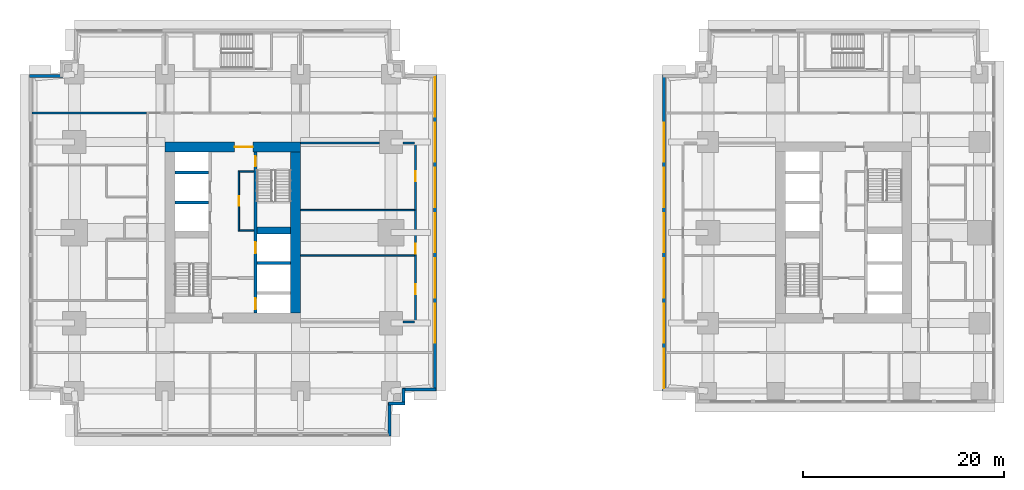
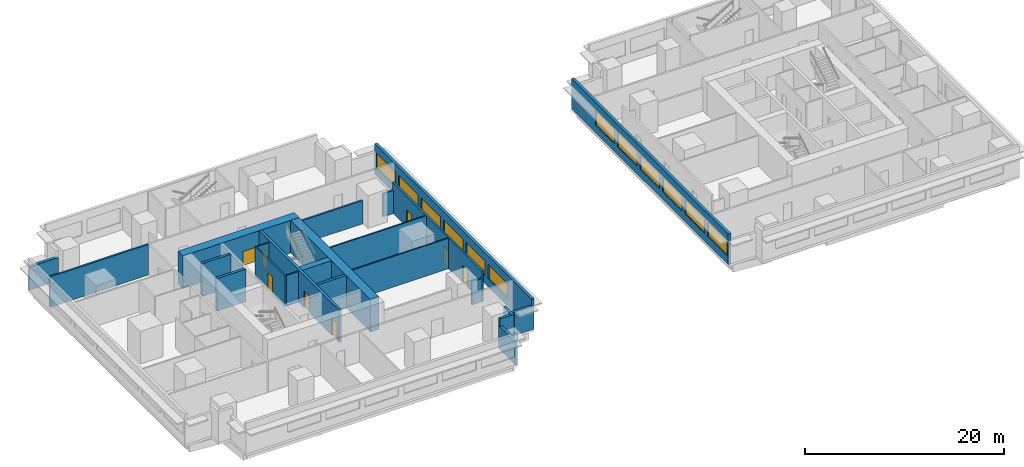
# One storey, part 4 of 11: 24 walls, 12 windows, 8 doors, 20 openings.
"""IFC4 building model written with IfcOpenShell, lengths in metres."""

from ifc_helpers import new_model, si_unit, direction, frame, frame_2d, origin, place, context, subcontext, project, spatial, rectangle, extrude, material, layer, layer_set, type_object, element, fill, save


model = new_model("IFC4")

# Units and contexts
model_context = context("Model", 3, precision=1e-05, world=origin(), true_north=direction((0.0, 1.0)))
body_context = subcontext(model_context, "Body", "Model", "MODEL_VIEW")
ifc_project = project(units=[si_unit("LENGTHUNIT", "METRE"), si_unit("AREAUNIT", "SQUARE_METRE"), si_unit("VOLUMEUNIT", "CUBIC_METRE"), si_unit("PLANEANGLEUNIT", "RADIAN"), si_unit("MASSUNIT", "GRAM", prefix="KILO")], contexts=[model_context])

# Site, building, storey
site_placement = place(None, origin())
site = spatial("IfcSite", under=ifc_project, at=site_placement, CompositionType="ELEMENT")
building_placement = place(site_placement, origin())
building = spatial("IfcBuilding", under=site, at=building_placement, Name="Namib Vertical Campus", CompositionType="ELEMENT")
storey_placement = place(building_placement, frame((0.0, 0.0, 97.0)))
storey = spatial("IfcBuildingStorey", under=building, at=storey_placement, Name="L22", CompositionType="ELEMENT", Elevation=97.0)

# Wall, openings, doors
ifc_material_1 = material(Name="Concrete C60/75", Category="concrete")
ifc_layer_1 = layer(ifc_material_1, 0.300048828125)
ifc_layer_set_1 = layer_set([ifc_layer_1], Name="Concrete C60/75")
wall_type_1 = type_object("IfcWallType", Name="Core inner wall 300", PredefinedType="SHEAR", material=ifc_layer_set_1)
wall_1_placement = place(storey_placement, frame((22.5, 12.25, 0.0), z_axis=(0.0, 0.0, 1.0), x_axis=(0.0, 1.0, 0.0)))
wall_1 = element("IfcWall", 1, at=wall_1_placement, inside=storey, type_object=wall_type_1, Name="Core inner wall A L22 W2", PredefinedType="SHEAR", context=body_context, shape_type="SweptSolid", body=[
    extrude(rectangle(XDim=16.0, YDim=0.300048828125, at=frame_2d((8.0, 0.0))), origin(), (0.0, 0.0, 1.0), 4.0),
])
opening_1_placement = place(wall_1_placement, frame((14.60009765625, 0.0, 0.0)))
opening_1 = element("IfcOpeningElement", 2, at=opening_1_placement, cuts=wall_1, Name="Opening FD1", PredefinedType="OPENING", context=body_context, shape_type="SweptSolid", body=[
    extrude(rectangle(XDim=1.0, YDim=2.10009765625, at=frame_2d((0.5, 1.050048828125))), frame((0.0, 0.159912109375, 0.0), z_axis=(0.0, -1.0, 0.0), x_axis=(1.0, 0.0, 0.0)), (0.0, 0.0, 1.0), 0.320068359375),
])
opening_2_placement = place(wall_1_placement, frame((0.375, 0.0, 0.0)))
opening_2 = element("IfcOpeningElement", 3, at=opening_2_placement, cuts=wall_1, Name="Opening LD1", PredefinedType="OPENING", context=body_context, shape_type="SweptSolid", body=[
    extrude(rectangle(XDim=1.10009765625, YDim=2.10009765625, at=frame_2d((0.550048828125, 1.050048828125))), frame((0.0, 0.159912109375, 0.0), z_axis=(0.0, -1.0, 0.0), x_axis=(1.0, 0.0, 0.0)), (0.0, 0.0, 1.0), 0.320068359375),
])
opening_3_placement = place(wall_1_placement, frame((5.949951171875, 0.0, 0.0)))
opening_3 = element("IfcOpeningElement", 4, at=opening_3_placement, cuts=wall_1, Name="Opening LD1", PredefinedType="OPENING", context=body_context, shape_type="SweptSolid", body=[
    extrude(rectangle(XDim=1.10009765625, YDim=2.10009765625, at=frame_2d((0.550048828125, 1.050048828125))), frame((0.0, 0.159912109375, 0.0), z_axis=(0.0, -1.0, 0.0), x_axis=(1.0, 0.0, 0.0)), (0.0, 0.0, 1.0), 0.320068359375),
])
ifc_material_2 = material(Name="Steel fire door", Category="steel")
door_type_1 = type_object("IfcDoorType", Name="Fire door 1000x2100", OperationType="SINGLE_SWING_RIGHT", PredefinedType="DOOR", material=ifc_material_2)
door_1_placement = place(opening_1_placement, frame((1.0, 0.0, 0.0), z_axis=(0.0, 0.0, 1.0), x_axis=(-1.0, 0.0, 0.0)))
door_1 = element("IfcDoor", 5, at=door_1_placement, inside=storey, type_object=door_type_1, Name="Stair door FD1 A L22 S2", OperationType="SINGLE_SWING_LEFT", OverallHeight=2.10009765625, OverallWidth=1.0, PredefinedType="DOOR", context=body_context, shape_type="SweptSolid", body=[
    extrude(rectangle(XDim=1.0, YDim=2.10009765625, at=frame_2d((0.5, 1.050048828125))), frame((0.0, 0.02490234375, 0.0), z_axis=(0.0, -1.0, 0.0), x_axis=(1.0, 0.0, 0.0)), (0.0, 0.0, 1.0), 0.050048828125),
])
fill(opening_1, door_1)
ifc_material_3 = material(Name="Stainless steel lift door", Category="steel")
door_type_2 = type_object("IfcDoorType", Name="Lift landing door 1100x2100", OperationType="DOUBLE_DOOR_SLIDING", PredefinedType="DOOR", material=ifc_material_3)
door_2_placement = place(opening_2_placement, origin())
door_2 = element("IfcDoor", 6, at=door_2_placement, inside=storey, type_object=door_type_2, Name="Lift landing door LD1 A-FL1 L22", OperationType="DOUBLE_DOOR_SLIDING", OverallHeight=2.10009765625, OverallWidth=1.10009765625, PredefinedType="DOOR", context=body_context, shape_type="SweptSolid", body=[
    extrude(rectangle(XDim=1.10009765625, YDim=2.10009765625, at=frame_2d((0.550048828125, 1.050048828125))), frame((0.0, 0.02490234375, 0.0), z_axis=(0.0, -1.0, 0.0), x_axis=(1.0, 0.0, 0.0)), (0.0, 0.0, 1.0), 0.050048828125),
])
fill(opening_2, door_2)
door_3_placement = place(opening_3_placement, origin())
door_3 = element("IfcDoor", 7, at=door_3_placement, inside=storey, type_object=door_type_2, Name="Lift landing door LD1 A-P5 L22", OperationType="DOUBLE_DOOR_SLIDING", OverallHeight=2.10009765625, OverallWidth=1.10009765625, PredefinedType="DOOR", context=body_context, shape_type="SweptSolid", body=[
    extrude(rectangle(XDim=1.10009765625, YDim=2.10009765625, at=frame_2d((0.550048828125, 1.050048828125))), frame((0.0, 0.02490234375, 0.0), z_axis=(0.0, -1.0, 0.0), x_axis=(1.0, 0.0, 0.0)), (0.0, 0.0, 1.0), 0.050048828125),
])
fill(opening_3, door_3)

# Walls
for number, where, z_axis, x_axis, name in (
    (8, (22.64990234375, 17.25, 0.0), (0.0, 0.0, 1.0), (1.0, 0.0, 0.0), "Core inner wall A L22 W6"),
    (9, (14.5, 23.25, 0.0), (0.0, 0.0, 1.0), (1.0, 0.0, 0.0), "Core inner wall A L22 W8"),
    (10, (14.5, 26.25, 0.0), (0.0, 0.0, 1.0), (1.0, 0.0, 0.0), "Core inner wall A L22 W9"),
):
    element("IfcWall", number, at=place(storey_placement, frame(where, z_axis=z_axis, x_axis=x_axis)), inside=storey, type_object=wall_type_1, Name=name, PredefinedType="SHEAR", context=body_context, shape_type="SweptSolid", body=[
        extrude(rectangle(XDim=3.35009765625, YDim=0.300048828125, at=frame_2d((1.675048828125, 0.0))), origin(), (0.0, 0.0, 1.0), 4.0),
    ])
ifc_material_4 = material(Name="Concrete C60/75", Category="concrete")
ifc_layer_2 = layer(ifc_material_4, 0.699951171875)
ifc_layer_set_2 = layer_set([ifc_layer_2], Name="Concrete C60/75")
wall_type_2 = type_object("IfcWallType", Name="Core shear wall 700", PredefinedType="SHEAR", material=ifc_layer_set_2)
wall_2_placement = place(storey_placement, frame((22.64990234375, 20.449951171875, 0.0), z_axis=(0.0, 0.0, 1.0), x_axis=(1.0, 0.0, 0.0)))
element("IfcWall", 11, at=wall_2_placement, inside=storey, type_object=wall_type_2, Name="Core shear wall A L22 W7", PredefinedType="SHEAR", context=body_context, shape_type="SweptSolid", body=[
    extrude(rectangle(XDim=3.35009765625, YDim=0.699951171875, at=frame_2d((1.675048828125, 0.0))), origin(), (0.0, 0.0, 1.0), 4.0),
])
ifc_material_5 = material(Name="Concrete C60/75", Category="concrete")
ifc_layer_3 = layer(ifc_material_5, 1.0)
ifc_layer_set_3 = layer_set([ifc_layer_3], Name="Concrete C60/75")
wall_type_3 = type_object("IfcWallType", Name="Core wall 1000", PredefinedType="SHEAR", material=ifc_layer_set_3)
wall_3_placement = place(storey_placement, frame((26.5, 12.25, 0.0), z_axis=(0.0, 0.0, 1.0), x_axis=(0.0, 1.0, 0.0)))
element("IfcWall", 12, at=wall_3_placement, inside=storey, type_object=wall_type_3, Name="Core wall A L22 2", PredefinedType="SHEAR", context=body_context, shape_type="SweptSolid", body=[
    extrude(rectangle(XDim=16.0, YDim=1.0, at=frame_2d((8.0, 0.0))), origin(), (0.0, 0.0, 1.0), 4.0),
])

# Wall, opening, door
wall_4_placement = place(storey_placement, frame((27.0, 28.75, 0.0), z_axis=(0.0, 0.0, 1.0), x_axis=(-1.0, 0.0, 0.0)))
wall_4 = element("IfcWall", 13, at=wall_4_placement, inside=storey, type_object=wall_type_3, Name="Core wall A L22 3", PredefinedType="SHEAR", context=body_context, shape_type="SweptSolid", body=[
    extrude(rectangle(XDim=13.5, YDim=1.0, at=frame_2d((6.75, 0.0))), origin(), (0.0, 0.0, 1.0), 4.0),
])
opening_4_placement = place(wall_4_placement, frame((4.75, 0.0, 0.0)))
opening_4 = element("IfcOpeningElement", 14, at=opening_4_placement, cuts=wall_4, Name="Opening FD2", PredefinedType="OPENING", context=body_context, shape_type="SweptSolid", body=[
    extrude(rectangle(XDim=1.800048828125, YDim=2.10009765625, at=frame_2d((0.89990234375, 1.050048828125))), frame((0.0, 0.510009765625, 0.0), z_axis=(0.0, -1.0, 0.0), x_axis=(1.0, 0.0, 0.0)), (0.0, 0.0, 1.0), 1.02001953125),
])
ifc_material_6 = material(Name="Steel fire door", Category="steel")
door_type_3 = type_object("IfcDoorType", Name="Fire door double 1800x2100", OperationType="DOUBLE_DOOR_SINGLE_SWING", PredefinedType="DOOR", material=ifc_material_6)
door_4_placement = place(opening_4_placement, origin())
door_4 = element("IfcDoor", 15, at=door_4_placement, inside=storey, type_object=door_type_3, Name="Lift lobby door FD2 A L22", OperationType="DOUBLE_DOOR_SINGLE_SWING", OverallHeight=2.10009765625, OverallWidth=1.800048828125, PredefinedType="DOOR", context=body_context, shape_type="SweptSolid", body=[
    extrude(rectangle(XDim=1.800048828125, YDim=2.10009765625, at=frame_2d((0.89990234375, 1.050048828125))), frame((0.0, 0.02490234375, 0.0), z_axis=(0.0, -1.0, 0.0), x_axis=(1.0, 0.0, 0.0)), (0.0, 0.0, 1.0), 0.050048828125),
])
fill(opening_4, door_4)

# Wall, openings, doors
ifc_material_7 = material(Name="Concrete masonry", Category="masonry")
ifc_layer_4 = layer(ifc_material_7, 0.199951171875)
ifc_layer_set_4 = layer_set([ifc_layer_4], Name="Corridor wall 200")
wall_type_4 = type_object("IfcWallType", Name="Corridor wall 200", PredefinedType="SOLIDWALL", material=ifc_layer_set_4)
wall_5_placement = place(storey_placement, frame((38.449951171875, 11.25, 0.0), z_axis=(0.0, 0.0, 1.0), x_axis=(0.0, 1.0, 0.0)))
wall_5 = element("IfcWall", 16, at=wall_5_placement, inside=storey, type_object=wall_type_4, Name="Corridor wall A L22 CG", PredefinedType="SOLIDWALL", context=body_context, shape_type="SweptSolid", body=[
    extrude(rectangle(XDim=18.0, YDim=0.199951171875, at=frame_2d((9.0, 0.0))), origin(), (0.0, 0.0, 1.0), 3.75),
])
opening_5_placement = place(wall_5_placement, frame((2.875, 0.0, 0.0)))
opening_5 = element("IfcOpeningElement", 17, at=opening_5_placement, cuts=wall_5, Name="Opening CD1", PredefinedType="OPENING", context=body_context, shape_type="SweptSolid", body=[
    extrude(rectangle(XDim=1.0, YDim=2.10009765625, at=frame_2d((0.5, 1.050048828125))), frame((0.0, 0.10986328125, 0.0), z_axis=(0.0, -1.0, 0.0), x_axis=(1.0, 0.0, 0.0)), (0.0, 0.0, 1.0), 0.219970703125),
])
opening_6_placement = place(wall_5_placement, frame((6.89990234375, 0.0, 0.0)))
opening_6 = element("IfcOpeningElement", 18, at=opening_6_placement, cuts=wall_5, Name="Opening CD1", PredefinedType="OPENING", context=body_context, shape_type="SweptSolid", body=[
    extrude(rectangle(XDim=1.0, YDim=2.10009765625, at=frame_2d((0.5, 1.050048828125))), frame((0.0, 0.10986328125, 0.0), z_axis=(0.0, -1.0, 0.0), x_axis=(1.0, 0.0, 0.0)), (0.0, 0.0, 1.0), 0.219970703125),
])
opening_7_placement = place(wall_5_placement, frame((14.125, 0.0, 0.0)))
opening_7 = element("IfcOpeningElement", 19, at=opening_7_placement, cuts=wall_5, Name="Opening CD1", PredefinedType="OPENING", context=body_context, shape_type="SweptSolid", body=[
    extrude(rectangle(XDim=1.0, YDim=2.10009765625, at=frame_2d((0.5, 1.050048828125))), frame((0.0, 0.10986328125, 0.0), z_axis=(0.0, -1.0, 0.0), x_axis=(1.0, 0.0, 0.0)), (0.0, 0.0, 1.0), 0.219970703125),
])
ifc_material_8 = material(Name="Timber fire door leaf", Category="wood")
door_type_4 = type_object("IfcDoorType", Name="Corridor door 1000x2100 20 min", OperationType="SINGLE_SWING_LEFT", PredefinedType="DOOR", material=ifc_material_8)
door_5_placement = place(opening_5_placement, origin())
door_5 = element("IfcDoor", 20, at=door_5_placement, inside=storey, type_object=door_type_4, Name="Door CD1 A22-04", OperationType="SINGLE_SWING_LEFT", OverallHeight=2.10009765625, OverallWidth=1.0, PredefinedType="DOOR", context=body_context, shape_type="SweptSolid", body=[
    extrude(rectangle(XDim=1.0, YDim=2.10009765625, at=frame_2d((0.5, 1.050048828125))), frame((0.0, 0.02490234375, 0.0), z_axis=(0.0, -1.0, 0.0), x_axis=(1.0, 0.0, 0.0)), (0.0, 0.0, 1.0), 0.050048828125),
])
fill(opening_5, door_5)
door_6_placement = place(opening_6_placement, origin())
door_6 = element("IfcDoor", 21, at=door_6_placement, inside=storey, type_object=door_type_4, Name="Door CD1 A22-05", OperationType="SINGLE_SWING_LEFT", OverallHeight=2.10009765625, OverallWidth=1.0, PredefinedType="DOOR", context=body_context, shape_type="SweptSolid", body=[
    extrude(rectangle(XDim=1.0, YDim=2.10009765625, at=frame_2d((0.5, 1.050048828125))), frame((0.0, 0.02490234375, 0.0), z_axis=(0.0, -1.0, 0.0), x_axis=(1.0, 0.0, 0.0)), (0.0, 0.0, 1.0), 0.050048828125),
])
fill(opening_6, door_6)
door_7_placement = place(opening_7_placement, origin())
door_7 = element("IfcDoor", 22, at=door_7_placement, inside=storey, type_object=door_type_4, Name="Door CD1 A22-06", OperationType="SINGLE_SWING_LEFT", OverallHeight=2.10009765625, OverallWidth=1.0, PredefinedType="DOOR", context=body_context, shape_type="SweptSolid", body=[
    extrude(rectangle(XDim=1.0, YDim=2.10009765625, at=frame_2d((0.5, 1.050048828125))), frame((0.0, 0.02490234375, 0.0), z_axis=(0.0, -1.0, 0.0), x_axis=(1.0, 0.0, 0.0)), (0.0, 0.0, 1.0), 0.050048828125),
])
fill(opening_7, door_7)

# Walls
wall_6_placement = place(storey_placement, frame((37.169921875, 11.35009765625, 0.0), z_axis=(0.0, 0.0, 1.0), x_axis=(1.0, 0.0, 0.0)))
element("IfcWall", 23, at=wall_6_placement, inside=storey, type_object=wall_type_4, Name="Corridor wall A L22 GS", PredefinedType="SOLIDWALL", context=body_context, shape_type="SweptSolid", body=[
    extrude(rectangle(XDim=1.18017578125, YDim=0.199951171875, at=frame_2d((0.590087890625, 0.0))), origin(), (0.0, 0.0, 1.0), 2.85009765625),
])
wall_7_placement = place(storey_placement, frame((27.0, 29.14990234375, 0.0), z_axis=(0.0, 0.0, 1.0), x_axis=(1.0, 0.0, 0.0)))
element("IfcWall", 24, at=wall_7_placement, inside=storey, type_object=wall_type_4, Name="Corridor wall A L22 GN", PredefinedType="SOLIDWALL", context=body_context, shape_type="SweptSolid", body=[
    extrude(rectangle(XDim=7.830078125, YDim=0.199951171875, at=frame_2d((3.9150390625, 0.0))), origin(), (0.0, 0.0, 1.0), 2.85009765625),
])
wall_8_placement = place(storey_placement, frame((37.169921875, 29.14990234375, 0.0), z_axis=(0.0, 0.0, 1.0), x_axis=(1.0, 0.0, 0.0)))
element("IfcWall", 25, at=wall_8_placement, inside=storey, type_object=wall_type_4, Name="Corridor wall A L22 GN", PredefinedType="SOLIDWALL", context=body_context, shape_type="SweptSolid", body=[
    extrude(rectangle(XDim=1.18017578125, YDim=0.199951171875, at=frame_2d((0.590087890625, 0.0))), origin(), (0.0, 0.0, 1.0), 2.85009765625),
])
wall_9_placement = place(storey_placement, frame((0.300048828125, 32.14990234375, 0.0), z_axis=(0.0, 0.0, 1.0), x_axis=(1.0, 0.0, 0.0)))
element("IfcWall", 26, at=wall_9_placement, inside=storey, type_object=wall_type_4, Name="Partition A L22 BNW", PredefinedType="SOLIDWALL", context=body_context, shape_type="SweptSolid", body=[
    extrude(rectangle(XDim=11.39990234375, YDim=0.199951171875, at=frame_2d((5.699951171875, 0.0))), origin(), (0.0, 0.0, 1.0), 3.75),
])
ifc_material_9 = material(Name="Concrete C40/50", Category="concrete")
ifc_layer_5 = layer(ifc_material_9, 0.300048828125)
ifc_layer_set_5 = layer_set([ifc_layer_5], Name="Concrete C40/50")
wall_type_5 = type_object("IfcWallType", Name="External wall 300 board-marked concrete", PredefinedType="STANDARD", material=ifc_layer_set_5)
wall_10_placement = place(storey_placement, frame((35.85009765625, 0.02001953125, 0.0), z_axis=(0.0, 0.0, 1.0), x_axis=(0.0, 1.0, 0.0)))
element("IfcWall", 27, at=wall_10_placement, inside=storey, type_object=wall_type_5, Name="External wall L22 F02", PredefinedType="STANDARD", context=body_context, shape_type="SweptSolid", body=[
    extrude(rectangle(XDim=3.35986328125, YDim=0.300048828125, at=frame_2d((1.679931640625, 0.0))), origin(), (0.0, 0.0, 1.0), 2.85009765625),
])
for number, where, z_axis, x_axis, name in (
    (28, (35.719970703125, 3.25, 0.0), (0.0, 0.0, 1.0), (1.0, 0.0, 0.0), "External wall L22 F03"),
    (29, (37.25, 3.1201171875, 0.0), (0.0, 0.0, 1.0), (0.0, 1.0, 0.0), "External wall L22 F04"),
):
    element("IfcWall", number, at=place(storey_placement, frame(where, z_axis=z_axis, x_axis=x_axis)), inside=storey, type_object=wall_type_5, Name=name, PredefinedType="STANDARD", context=body_context, shape_type="SweptSolid", body=[
        extrude(rectangle(XDim=1.659912109375, YDim=0.300048828125, at=frame_2d((0.830078125, 0.0))), origin(), (0.0, 0.0, 1.0), 3.75),
    ])
wall_11_placement = place(storey_placement, frame((37.1201171875, 4.64990234375, 0.0), z_axis=(0.0, 0.0, 1.0), x_axis=(1.0, 0.0, 0.0)))
element("IfcWall", 30, at=wall_11_placement, inside=storey, type_object=wall_type_5, Name="External wall L22 F05", PredefinedType="STANDARD", context=body_context, shape_type="SweptSolid", body=[
    extrude(rectangle(XDim=3.35986328125, YDim=0.300048828125, at=frame_2d((1.679931640625, 0.0))), origin(), (0.0, 0.0, 1.0), 2.85009765625),
])

# Wall, openings, windows
wall_12_placement = place(storey_placement, frame((40.35009765625, 4.52001953125, 0.0), z_axis=(0.0, 0.0, 1.0), x_axis=(0.0, 1.0, 0.0)))
wall_12 = element("IfcWall", 31, at=wall_12_placement, inside=storey, type_object=wall_type_5, Name="External wall L22 F06", PredefinedType="STANDARD", context=body_context, shape_type="SweptSolid", body=[
    extrude(rectangle(XDim=31.4599609375, YDim=0.300048828125, at=frame_2d((15.72998046875, 0.0))), origin(), (0.0, 0.0, 1.0), 3.75),
])
opening_8_placement = place(wall_12_placement, frame((4.780029296875, 0.0, 0.949951171875)))
opening_8 = element("IfcOpeningElement", 32, at=opening_8_placement, cuts=wall_12, Name="Opening W3", PredefinedType="OPENING", context=body_context, shape_type="SweptSolid", body=[
    extrude(rectangle(XDim=3.89990234375, YDim=1.800048828125, at=frame_2d((1.949951171875, 0.89990234375))), frame((0.0, 0.159912109375, 0.0), z_axis=(0.0, -1.0, 0.0), x_axis=(1.0, 0.0, 0.0)), (0.0, 0.0, 1.0), 0.320068359375),
])
opening_9_placement = place(wall_12_placement, frame((9.280029296875, 0.0, 0.949951171875)))
opening_9 = element("IfcOpeningElement", 33, at=opening_9_placement, cuts=wall_12, Name="Opening W3", PredefinedType="OPENING", context=body_context, shape_type="SweptSolid", body=[
    extrude(rectangle(XDim=3.89990234375, YDim=1.800048828125, at=frame_2d((1.949951171875, 0.89990234375))), frame((0.0, 0.159912109375, 0.0), z_axis=(0.0, -1.0, 0.0), x_axis=(1.0, 0.0, 0.0)), (0.0, 0.0, 1.0), 0.320068359375),
])
opening_10_placement = place(wall_12_placement, frame((13.780029296875, 0.0, 0.949951171875)))
opening_10 = element("IfcOpeningElement", 34, at=opening_10_placement, cuts=wall_12, Name="Opening W3", PredefinedType="OPENING", context=body_context, shape_type="SweptSolid", body=[
    extrude(rectangle(XDim=3.89990234375, YDim=1.800048828125, at=frame_2d((1.949951171875, 0.89990234375))), frame((0.0, 0.159912109375, 0.0), z_axis=(0.0, -1.0, 0.0), x_axis=(1.0, 0.0, 0.0)), (0.0, 0.0, 1.0), 0.320068359375),
])
opening_11_placement = place(wall_12_placement, frame((18.280029296875, 0.0, 0.949951171875)))
opening_11 = element("IfcOpeningElement", 35, at=opening_11_placement, cuts=wall_12, Name="Opening W3", PredefinedType="OPENING", context=body_context, shape_type="SweptSolid", body=[
    extrude(rectangle(XDim=3.89990234375, YDim=1.800048828125, at=frame_2d((1.949951171875, 0.89990234375))), frame((0.0, 0.159912109375, 0.0), z_axis=(0.0, -1.0, 0.0), x_axis=(1.0, 0.0, 0.0)), (0.0, 0.0, 1.0), 0.320068359375),
])
opening_12_placement = place(wall_12_placement, frame((22.780029296875, 0.0, 0.949951171875)))
opening_12 = element("IfcOpeningElement", 36, at=opening_12_placement, cuts=wall_12, Name="Opening W3", PredefinedType="OPENING", context=body_context, shape_type="SweptSolid", body=[
    extrude(rectangle(XDim=3.89990234375, YDim=1.800048828125, at=frame_2d((1.949951171875, 0.89990234375))), frame((0.0, 0.159912109375, 0.0), z_axis=(0.0, -1.0, 0.0), x_axis=(1.0, 0.0, 0.0)), (0.0, 0.0, 1.0), 0.320068359375),
])
opening_13_placement = place(wall_12_placement, frame((27.280029296875, 0.0, 0.949951171875)))
opening_13 = element("IfcOpeningElement", 37, at=opening_13_placement, cuts=wall_12, Name="Opening W3", PredefinedType="OPENING", context=body_context, shape_type="SweptSolid", body=[
    extrude(rectangle(XDim=3.89990234375, YDim=1.800048828125, at=frame_2d((1.949951171875, 0.89990234375))), frame((0.0, 0.159912109375, 0.0), z_axis=(0.0, -1.0, 0.0), x_axis=(1.0, 0.0, 0.0)), (0.0, 0.0, 1.0), 0.320068359375),
])
ifc_material_10 = material(Name="Dark tinted glass in black aluminium frame", Category="aluminium")
window_type = type_object("IfcWindowType", Name="Ribbon window 3900x1800", PartitioningType="SINGLE_PANEL", PredefinedType="WINDOW", material=ifc_material_10)
window_1_placement = place(opening_8_placement, origin())
window_1 = element("IfcWindow", 38, at=window_1_placement, inside=storey, type_object=window_type, Name="Window W3 L22 F06-2", OverallHeight=1.800048828125, OverallWidth=3.89990234375, PartitioningType="SINGLE_PANEL", PredefinedType="WINDOW", context=body_context, shape_type="SweptSolid", body=[
    extrude(rectangle(XDim=3.89990234375, YDim=1.800048828125, at=frame_2d((1.949951171875, 0.89990234375))), frame((0.0, 0.030029296875, 0.0), z_axis=(0.0, -1.0, 0.0), x_axis=(1.0, 0.0, 0.0)), (0.0, 0.0, 1.0), 0.06005859375),
])
fill(opening_8, window_1)
window_2_placement = place(opening_9_placement, origin())
window_2 = element("IfcWindow", 39, at=window_2_placement, inside=storey, type_object=window_type, Name="Window W3 L22 F06-3", OverallHeight=1.800048828125, OverallWidth=3.89990234375, PartitioningType="SINGLE_PANEL", PredefinedType="WINDOW", context=body_context, shape_type="SweptSolid", body=[
    extrude(rectangle(XDim=3.89990234375, YDim=1.800048828125, at=frame_2d((1.949951171875, 0.89990234375))), frame((0.0, 0.030029296875, 0.0), z_axis=(0.0, -1.0, 0.0), x_axis=(1.0, 0.0, 0.0)), (0.0, 0.0, 1.0), 0.06005859375),
])
fill(opening_9, window_2)
window_3_placement = place(opening_10_placement, origin())
window_3 = element("IfcWindow", 40, at=window_3_placement, inside=storey, type_object=window_type, Name="Window W3 L22 F06-4", OverallHeight=1.800048828125, OverallWidth=3.89990234375, PartitioningType="SINGLE_PANEL", PredefinedType="WINDOW", context=body_context, shape_type="SweptSolid", body=[
    extrude(rectangle(XDim=3.89990234375, YDim=1.800048828125, at=frame_2d((1.949951171875, 0.89990234375))), frame((0.0, 0.030029296875, 0.0), z_axis=(0.0, -1.0, 0.0), x_axis=(1.0, 0.0, 0.0)), (0.0, 0.0, 1.0), 0.06005859375),
])
fill(opening_10, window_3)
window_4_placement = place(opening_11_placement, origin())
window_4 = element("IfcWindow", 41, at=window_4_placement, inside=storey, type_object=window_type, Name="Window W3 L22 F06-5", OverallHeight=1.800048828125, OverallWidth=3.89990234375, PartitioningType="SINGLE_PANEL", PredefinedType="WINDOW", context=body_context, shape_type="SweptSolid", body=[
    extrude(rectangle(XDim=3.89990234375, YDim=1.800048828125, at=frame_2d((1.949951171875, 0.89990234375))), frame((0.0, 0.030029296875, 0.0), z_axis=(0.0, -1.0, 0.0), x_axis=(1.0, 0.0, 0.0)), (0.0, 0.0, 1.0), 0.06005859375),
])
fill(opening_11, window_4)
window_5_placement = place(opening_12_placement, origin())
window_5 = element("IfcWindow", 42, at=window_5_placement, inside=storey, type_object=window_type, Name="Window W3 L22 F06-6", OverallHeight=1.800048828125, OverallWidth=3.89990234375, PartitioningType="SINGLE_PANEL", PredefinedType="WINDOW", context=body_context, shape_type="SweptSolid", body=[
    extrude(rectangle(XDim=3.89990234375, YDim=1.800048828125, at=frame_2d((1.949951171875, 0.89990234375))), frame((0.0, 0.030029296875, 0.0), z_axis=(0.0, -1.0, 0.0), x_axis=(1.0, 0.0, 0.0)), (0.0, 0.0, 1.0), 0.06005859375),
])
fill(opening_12, window_5)
window_6_placement = place(opening_13_placement, origin())
window_6 = element("IfcWindow", 43, at=window_6_placement, inside=storey, type_object=window_type, Name="Window W3 L22 F06-7", OverallHeight=1.800048828125, OverallWidth=3.89990234375, PartitioningType="SINGLE_PANEL", PredefinedType="WINDOW", context=body_context, shape_type="SweptSolid", body=[
    extrude(rectangle(XDim=3.89990234375, YDim=1.800048828125, at=frame_2d((1.949951171875, 0.89990234375))), frame((0.0, 0.030029296875, 0.0), z_axis=(0.0, -1.0, 0.0), x_axis=(1.0, 0.0, 0.0)), (0.0, 0.0, 1.0), 0.06005859375),
])
fill(opening_13, window_6)

# Wall
wall_13_placement = place(storey_placement, frame((3.3798828125, 35.85009765625, 0.0), z_axis=(0.0, 0.0, 1.0), x_axis=(-1.0, 0.0, 0.0)))
element("IfcWall", 44, at=wall_13_placement, inside=storey, type_object=wall_type_5, Name="External wall L22 F15", PredefinedType="STANDARD", context=body_context, shape_type="SweptSolid", body=[
    extrude(rectangle(XDim=3.35986328125, YDim=0.300048828125, at=frame_2d((1.679931640625, 0.0))), origin(), (0.0, 0.0, 1.0), 2.85009765625),
])

# Wall, openings, windows
wall_14_placement = place(storey_placement, frame((63.14990234375, 35.97998046875, 0.0), z_axis=(0.0, 0.0, 1.0), x_axis=(0.0, -1.0, 0.0)))
wall_14 = element("IfcWall", 45, at=wall_14_placement, inside=storey, type_object=wall_type_5, Name="External wall L22 F12", PredefinedType="STANDARD", context=body_context, shape_type="SweptSolid", body=[
    extrude(rectangle(XDim=31.4599609375, YDim=0.300048828125, at=frame_2d((15.72998046875, 0.0))), origin(), (0.0, 0.0, 1.0), 3.75),
])
opening_14_placement = place(wall_14_placement, frame((27.280029296875, 0.0, 0.949951171875)))
opening_14 = element("IfcOpeningElement", 46, at=opening_14_placement, cuts=wall_14, Name="Opening W3", PredefinedType="OPENING", context=body_context, shape_type="SweptSolid", body=[
    extrude(rectangle(XDim=3.89990234375, YDim=1.800048828125, at=frame_2d((1.949951171875, 0.89990234375))), frame((0.0, 0.159912109375, 0.0), z_axis=(0.0, -1.0, 0.0), x_axis=(1.0, 0.0, 0.0)), (0.0, 0.0, 1.0), 0.320068359375),
])
opening_15_placement = place(wall_14_placement, frame((22.780029296875, 0.0, 0.949951171875)))
opening_15 = element("IfcOpeningElement", 47, at=opening_15_placement, cuts=wall_14, Name="Opening W3", PredefinedType="OPENING", context=body_context, shape_type="SweptSolid", body=[
    extrude(rectangle(XDim=3.89990234375, YDim=1.800048828125, at=frame_2d((1.949951171875, 0.89990234375))), frame((0.0, 0.159912109375, 0.0), z_axis=(0.0, -1.0, 0.0), x_axis=(1.0, 0.0, 0.0)), (0.0, 0.0, 1.0), 0.320068359375),
])
opening_16_placement = place(wall_14_placement, frame((18.280029296875, 0.0, 0.949951171875)))
opening_16 = element("IfcOpeningElement", 48, at=opening_16_placement, cuts=wall_14, Name="Opening W3", PredefinedType="OPENING", context=body_context, shape_type="SweptSolid", body=[
    extrude(rectangle(XDim=3.89990234375, YDim=1.800048828125, at=frame_2d((1.949951171875, 0.89990234375))), frame((0.0, 0.159912109375, 0.0), z_axis=(0.0, -1.0, 0.0), x_axis=(1.0, 0.0, 0.0)), (0.0, 0.0, 1.0), 0.320068359375),
])
opening_17_placement = place(wall_14_placement, frame((13.780029296875, 0.0, 0.949951171875)))
opening_17 = element("IfcOpeningElement", 49, at=opening_17_placement, cuts=wall_14, Name="Opening W3", PredefinedType="OPENING", context=body_context, shape_type="SweptSolid", body=[
    extrude(rectangle(XDim=3.89990234375, YDim=1.800048828125, at=frame_2d((1.949951171875, 0.89990234375))), frame((0.0, 0.159912109375, 0.0), z_axis=(0.0, -1.0, 0.0), x_axis=(1.0, 0.0, 0.0)), (0.0, 0.0, 1.0), 0.320068359375),
])
opening_18_placement = place(wall_14_placement, frame((9.280029296875, 0.0, 0.949951171875)))
opening_18 = element("IfcOpeningElement", 50, at=opening_18_placement, cuts=wall_14, Name="Opening W3", PredefinedType="OPENING", context=body_context, shape_type="SweptSolid", body=[
    extrude(rectangle(XDim=3.89990234375, YDim=1.800048828125, at=frame_2d((1.949951171875, 0.89990234375))), frame((0.0, 0.159912109375, 0.0), z_axis=(0.0, -1.0, 0.0), x_axis=(1.0, 0.0, 0.0)), (0.0, 0.0, 1.0), 0.320068359375),
])
opening_19_placement = place(wall_14_placement, frame((4.780029296875, 0.0, 0.949951171875)))
opening_19 = element("IfcOpeningElement", 51, at=opening_19_placement, cuts=wall_14, Name="Opening W3", PredefinedType="OPENING", context=body_context, shape_type="SweptSolid", body=[
    extrude(rectangle(XDim=3.89990234375, YDim=1.800048828125, at=frame_2d((1.949951171875, 0.89990234375))), frame((0.0, 0.159912109375, 0.0), z_axis=(0.0, -1.0, 0.0), x_axis=(1.0, 0.0, 0.0)), (0.0, 0.0, 1.0), 0.320068359375),
])
window_7_placement = place(opening_14_placement, origin())
window_7 = element("IfcWindow", 52, at=window_7_placement, inside=storey, type_object=window_type, Name="Window W3 L22 F12-1", OverallHeight=1.800048828125, OverallWidth=3.89990234375, PartitioningType="SINGLE_PANEL", PredefinedType="WINDOW", context=body_context, shape_type="SweptSolid", body=[
    extrude(rectangle(XDim=3.89990234375, YDim=1.800048828125, at=frame_2d((1.949951171875, 0.89990234375))), frame((0.0, 0.030029296875, 0.0), z_axis=(0.0, -1.0, 0.0), x_axis=(1.0, 0.0, 0.0)), (0.0, 0.0, 1.0), 0.06005859375),
])
fill(opening_14, window_7)
window_8_placement = place(opening_15_placement, origin())
window_8 = element("IfcWindow", 53, at=window_8_placement, inside=storey, type_object=window_type, Name="Window W3 L22 F12-2", OverallHeight=1.800048828125, OverallWidth=3.89990234375, PartitioningType="SINGLE_PANEL", PredefinedType="WINDOW", context=body_context, shape_type="SweptSolid", body=[
    extrude(rectangle(XDim=3.89990234375, YDim=1.800048828125, at=frame_2d((1.949951171875, 0.89990234375))), frame((0.0, 0.030029296875, 0.0), z_axis=(0.0, -1.0, 0.0), x_axis=(1.0, 0.0, 0.0)), (0.0, 0.0, 1.0), 0.06005859375),
])
fill(opening_15, window_8)
window_9_placement = place(opening_16_placement, origin())
window_9 = element("IfcWindow", 54, at=window_9_placement, inside=storey, type_object=window_type, Name="Window W3 L22 F12-3", OverallHeight=1.800048828125, OverallWidth=3.89990234375, PartitioningType="SINGLE_PANEL", PredefinedType="WINDOW", context=body_context, shape_type="SweptSolid", body=[
    extrude(rectangle(XDim=3.89990234375, YDim=1.800048828125, at=frame_2d((1.949951171875, 0.89990234375))), frame((0.0, 0.030029296875, 0.0), z_axis=(0.0, -1.0, 0.0), x_axis=(1.0, 0.0, 0.0)), (0.0, 0.0, 1.0), 0.06005859375),
])
fill(opening_16, window_9)
window_10_placement = place(opening_17_placement, origin())
window_10 = element("IfcWindow", 55, at=window_10_placement, inside=storey, type_object=window_type, Name="Window W3 L22 F12-4", OverallHeight=1.800048828125, OverallWidth=3.89990234375, PartitioningType="SINGLE_PANEL", PredefinedType="WINDOW", context=body_context, shape_type="SweptSolid", body=[
    extrude(rectangle(XDim=3.89990234375, YDim=1.800048828125, at=frame_2d((1.949951171875, 0.89990234375))), frame((0.0, 0.030029296875, 0.0), z_axis=(0.0, -1.0, 0.0), x_axis=(1.0, 0.0, 0.0)), (0.0, 0.0, 1.0), 0.06005859375),
])
fill(opening_17, window_10)
window_11_placement = place(opening_18_placement, origin())
window_11 = element("IfcWindow", 56, at=window_11_placement, inside=storey, type_object=window_type, Name="Window W3 L22 F12-5", OverallHeight=1.800048828125, OverallWidth=3.89990234375, PartitioningType="SINGLE_PANEL", PredefinedType="WINDOW", context=body_context, shape_type="SweptSolid", body=[
    extrude(rectangle(XDim=3.89990234375, YDim=1.800048828125, at=frame_2d((1.949951171875, 0.89990234375))), frame((0.0, 0.030029296875, 0.0), z_axis=(0.0, -1.0, 0.0), x_axis=(1.0, 0.0, 0.0)), (0.0, 0.0, 1.0), 0.06005859375),
])
fill(opening_18, window_11)
window_12_placement = place(opening_19_placement, origin())
window_12 = element("IfcWindow", 57, at=window_12_placement, inside=storey, type_object=window_type, Name="Window W3 L22 F12-6", OverallHeight=1.800048828125, OverallWidth=3.89990234375, PartitioningType="SINGLE_PANEL", PredefinedType="WINDOW", context=body_context, shape_type="SweptSolid", body=[
    extrude(rectangle(XDim=3.89990234375, YDim=1.800048828125, at=frame_2d((1.949951171875, 0.89990234375))), frame((0.0, 0.030029296875, 0.0), z_axis=(0.0, -1.0, 0.0), x_axis=(1.0, 0.0, 0.0)), (0.0, 0.0, 1.0), 0.06005859375),
])
fill(opening_19, window_12)

# Wall, opening, door
ifc_material_11 = material(Name="Gypsum board on steel studs", Category="steel")
ifc_layer_6 = layer(ifc_material_11, 0.14990234375)
ifc_layer_set_6 = layer_set([ifc_layer_6], Name="Gypsum board on steel studs")
wall_type_6 = type_object("IfcWallType", Name="Partition 150", PredefinedType="PARTITIONING", material=ifc_layer_set_6)
wall_15_placement = place(storey_placement, frame((20.875, 20.39990234375, 0.0), z_axis=(0.0, 0.0, 1.0), x_axis=(0.0, 1.0, 0.0)))
wall_15 = element("IfcWall", 58, at=wall_15_placement, inside=storey, type_object=wall_type_6, Name="Partition A L22 Store front", PredefinedType="PARTITIONING", context=body_context, shape_type="SweptSolid", body=[
    extrude(rectangle(XDim=6.0, YDim=0.14990234375, at=frame_2d((3.0, 0.0))), origin(), (0.0, 0.0, 1.0), 3.75),
])
opening_20_placement = place(wall_15_placement, frame((2.550048828125, 0.0, 0.0)))
opening_20 = element("IfcOpeningElement", 59, at=opening_20_placement, cuts=wall_15, Name="Opening D3", PredefinedType="OPENING", context=body_context, shape_type="SweptSolid", body=[
    extrude(rectangle(XDim=0.89990234375, YDim=2.10009765625, at=frame_2d((0.449951171875, 1.050048828125))), frame((0.0, 0.0849609375, 0.0), z_axis=(0.0, -1.0, 0.0), x_axis=(1.0, 0.0, 0.0)), (0.0, 0.0, 1.0), 0.169921875),
])
ifc_material_12 = material(Name="Timber door leaf", Category="wood")
door_type_5 = type_object("IfcDoorType", Name="Toilet door 900x2100", OperationType="SINGLE_SWING_LEFT", PredefinedType="DOOR", material=ifc_material_12)
door_8_placement = place(opening_20_placement, frame((0.89990234375, 0.0, 0.0), z_axis=(0.0, 0.0, 1.0), x_axis=(-1.0, 0.0, 0.0)))
door_8 = element("IfcDoor", 60, at=door_8_placement, inside=storey, type_object=door_type_5, Name="Door D3 Store A L22", OperationType="SINGLE_SWING_RIGHT", OverallHeight=2.10009765625, OverallWidth=0.89990234375, PredefinedType="DOOR", context=body_context, shape_type="SweptSolid", body=[
    extrude(rectangle(XDim=0.89990234375, YDim=2.10009765625, at=frame_2d((0.449951171875, 1.050048828125))), frame((0.0, 0.02490234375, 0.0), z_axis=(0.0, -1.0, 0.0), x_axis=(1.0, 0.0, 0.0)), (0.0, 0.0, 1.0), 0.050048828125),
])
fill(opening_20, door_8)

# Walls
for number, where, z_axis, x_axis, name in (
    (61, (20.949951171875, 20.47509765625, 0.0), (0.0, 0.0, 1.0), (1.0, 0.0, 0.0), "Partition A L22 Store end 1"),
    (62, (20.949951171875, 26.324951171875, 0.0), (0.0, 0.0, 1.0), (1.0, 0.0, 0.0), "Partition A L22 Store end 2"),
):
    element("IfcWall", number, at=place(storey_placement, frame(where, z_axis=z_axis, x_axis=x_axis)), inside=storey, type_object=wall_type_6, Name=name, PredefinedType="PARTITIONING", context=body_context, shape_type="SweptSolid", body=[
        extrude(rectangle(XDim=1.400146484375, YDim=0.14990234375, at=frame_2d((0.7001953125, 0.0))), origin(), (0.0, 0.0, 1.0), 3.75),
    ])
for number, where, z_axis, x_axis, name in (
    (63, (27.0, 18.0, 0.0), (0.0, 0.0, 1.0), (1.0, 0.0, 0.0), "Partition A L22 PE1"),
    (64, (27.0, 22.5, 0.0), (0.0, 0.0, 1.0), (1.0, 0.0, 0.0), "Partition A L22 PE2"),
):
    element("IfcWall", number, at=place(storey_placement, frame(where, z_axis=z_axis, x_axis=x_axis)), inside=storey, type_object=wall_type_6, Name=name, PredefinedType="PARTITIONING", context=body_context, shape_type="SweptSolid", body=[
        extrude(rectangle(XDim=11.35009765625, YDim=0.14990234375, at=frame_2d((5.675048828125, 0.0))), origin(), (0.0, 0.0, 1.0), 3.75),
    ])

save(model, "model.ifc")
